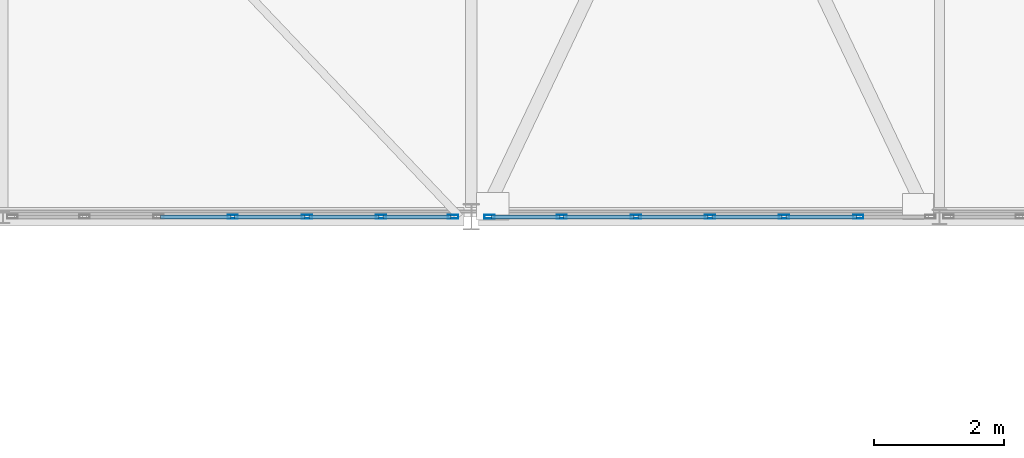
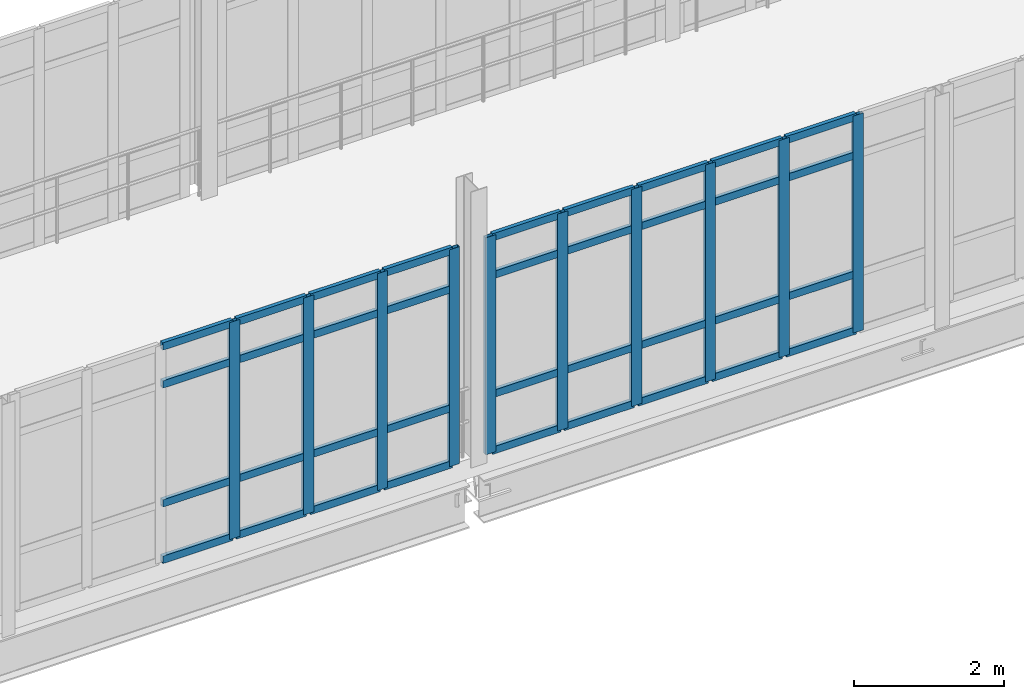
# One storey, part 20 of 116: 46 members, 2 elements without a shape of their own.
"""IFC4 building model written with IfcOpenShell, lengths in metres."""

from ifc_helpers import new_model, si_unit, direction, frame, origin, origin_2d, place, context, subcontext, project, spatial, hollow_rectangle, extrude, material, material_profile, profile_set, type_object, element, aggregate, save


model = new_model("IFC4")

# Units and contexts
model_context = context("Model", 3, precision=1e-05, world=origin(), true_north=direction((0.0, 1.0)))
body_context = subcontext(model_context, "Body", "Model", "MODEL_VIEW")
ifc_project = project(units=[si_unit("LENGTHUNIT", "METRE"), si_unit("AREAUNIT", "SQUARE_METRE"), si_unit("VOLUMEUNIT", "CUBIC_METRE"), si_unit("PLANEANGLEUNIT", "RADIAN"), si_unit("MASSUNIT", "GRAM", prefix="KILO")], contexts=[model_context])

# Site, building, storey
site_placement = place(None, origin())
site = spatial("IfcSite", under=ifc_project, at=site_placement, CompositionType="ELEMENT")
building_placement = place(site_placement, origin())
building = spatial("IfcBuilding", under=site, at=building_placement, Name="Kalluvel Institute of Natural Sciences", CompositionType="ELEMENT")
storey_placement = place(building_placement, frame((0.0, 0.0, 14.39990234375)))
storey = spatial("IfcBuildingStorey", under=building, at=storey_placement, Name="L03", CompositionType="ELEMENT", Elevation=14.39990234375)

# Curtain wall, members
ifc_material = material(Name="Aluminium AW-6063 T6", Category="aluminium")
curtain_wall_type = type_object("IfcCurtainWallType", Name="CW-BRG-45", PredefinedType="USERDEFINED", material=ifc_material)
curtain_wall_1_placement = place(storey_placement, origin())
curtain_wall_1 = element("IfcCurtainWall", 1, at=curtain_wall_1_placement, inside=storey, type_object=curtain_wall_type, Name="L03 Gothic lancet curtain wall CWA-L03-X429-Y284", ObjectType="UNITISED LANCET FACADE", PredefinedType="USERDEFINED")
ifc_material_profile_1 = material_profile(ifc_material, hollow_rectangle(XDim=0.06005859375, YDim=0.159912109375, WallThickness=0.00390625, at=origin_2d()), Name="CWM 60x160")
ifc_profile_set_1 = profile_set([ifc_material_profile_1], Name="Aluminium AW-6063 T6")
member_type_1 = type_object("IfcMemberType", Name="CWM-60x160", PredefinedType="MULLION", material=ifc_profile_set_1)
member_1_placement = place(storey_placement, frame((46.330078125, 28.39990234375, 0.0), z_axis=(0.0, 0.0, 1.0), x_axis=(0.0, 1.0, 0.0)))
member_1 = element("IfcMember", 2, at=member_1_placement, type_object=member_type_1, Name="CW-07 mullion 4", PredefinedType="MULLION", context=body_context, shape_type="SweptSolid", body=[
    extrude(hollow_rectangle(XDim=0.06005859375, YDim=0.159912109375, WallThickness=0.00390625, at=origin_2d()), origin(), (0.0, 0.0, 1.0), 3.5400390625),
])
member_2_placement = place(storey_placement, frame((47.469970703125, 28.39990234375, 0.0), z_axis=(0.0, 0.0, 1.0), x_axis=(0.0, 1.0, 0.0)))
member_2 = element("IfcMember", 3, at=member_2_placement, type_object=member_type_1, Name="CW-07 mullion 5", PredefinedType="MULLION", context=body_context, shape_type="SweptSolid", body=[
    extrude(hollow_rectangle(XDim=0.06005859375, YDim=0.159912109375, WallThickness=0.00390625, at=origin_2d()), origin(), (0.0, 0.0, 1.0), 3.5400390625),
])
member_3_placement = place(storey_placement, frame((48.610107421875, 28.39990234375, 0.0), z_axis=(0.0, 0.0, 1.0), x_axis=(0.0, 1.0, 0.0)))
member_3 = element("IfcMember", 4, at=member_3_placement, type_object=member_type_1, Name="CW-07 mullion 6", PredefinedType="MULLION", context=body_context, shape_type="SweptSolid", body=[
    extrude(hollow_rectangle(XDim=0.06005859375, YDim=0.159912109375, WallThickness=0.00390625, at=origin_2d()), origin(), (0.0, 0.0, 1.0), 3.5400390625),
])
member_4_placement = place(storey_placement, frame((49.719970703125, 28.39990234375, 0.0), z_axis=(0.0, 0.0, 1.0), x_axis=(0.0, 1.0, 0.0)))
member_4 = element("IfcMember", 5, at=member_4_placement, type_object=member_type_1, Name="CW-07 mullion 7", PredefinedType="MULLION", context=body_context, shape_type="SweptSolid", body=[
    extrude(hollow_rectangle(XDim=0.06005859375, YDim=0.159912109375, WallThickness=0.00390625, at=origin_2d()), origin(), (0.0, 0.0, 1.0), 3.5400390625),
])

curtain_wall_2_placement = place(storey_placement, origin())
curtain_wall_2 = element("IfcCurtainWall", 6, at=curtain_wall_2_placement, inside=storey, type_object=curtain_wall_type, Name="L03 Gothic lancet curtain wall CWA-L03-X502-Y284", ObjectType="UNITISED LANCET FACADE", PredefinedType="USERDEFINED")
member_5_placement = place(storey_placement, frame((50.280029296875, 28.39990234375, 0.0), z_axis=(0.0, 0.0, 1.0), x_axis=(0.0, 1.0, 0.0)))
member_5 = element("IfcMember", 7, at=member_5_placement, type_object=member_type_1, Name="CW-07 mullion 1", PredefinedType="MULLION", context=body_context, shape_type="SweptSolid", body=[
    extrude(hollow_rectangle(XDim=0.06005859375, YDim=0.159912109375, WallThickness=0.00390625, at=origin_2d()), origin(), (0.0, 0.0, 1.0), 3.5400390625),
])
member_6_placement = place(storey_placement, frame((51.389892578125, 28.39990234375, 0.0), z_axis=(0.0, 0.0, 1.0), x_axis=(0.0, 1.0, 0.0)))
member_6 = element("IfcMember", 8, at=member_6_placement, type_object=member_type_1, Name="CW-07 mullion 2", PredefinedType="MULLION", context=body_context, shape_type="SweptSolid", body=[
    extrude(hollow_rectangle(XDim=0.06005859375, YDim=0.159912109375, WallThickness=0.00390625, at=origin_2d()), origin(), (0.0, 0.0, 1.0), 3.5400390625),
])
member_7_placement = place(storey_placement, frame((52.530029296875, 28.39990234375, 0.0), z_axis=(0.0, 0.0, 1.0), x_axis=(0.0, 1.0, 0.0)))
member_7 = element("IfcMember", 9, at=member_7_placement, type_object=member_type_1, Name="CW-07 mullion 3", PredefinedType="MULLION", context=body_context, shape_type="SweptSolid", body=[
    extrude(hollow_rectangle(XDim=0.06005859375, YDim=0.159912109375, WallThickness=0.00390625, at=origin_2d()), origin(), (0.0, 0.0, 1.0), 3.5400390625),
])
member_8_placement = place(storey_placement, frame((53.669921875, 28.39990234375, 0.0), z_axis=(0.0, 0.0, 1.0), x_axis=(0.0, 1.0, 0.0)))
member_8 = element("IfcMember", 10, at=member_8_placement, type_object=member_type_1, Name="CW-07 mullion 4", PredefinedType="MULLION", context=body_context, shape_type="SweptSolid", body=[
    extrude(hollow_rectangle(XDim=0.06005859375, YDim=0.159912109375, WallThickness=0.00390625, at=origin_2d()), origin(), (0.0, 0.0, 1.0), 3.5400390625),
])
member_9_placement = place(storey_placement, frame((54.81005859375, 28.39990234375, 0.0), z_axis=(0.0, 0.0, 1.0), x_axis=(0.0, 1.0, 0.0)))
member_9 = element("IfcMember", 11, at=member_9_placement, type_object=member_type_1, Name="CW-07 mullion 5", PredefinedType="MULLION", context=body_context, shape_type="SweptSolid", body=[
    extrude(hollow_rectangle(XDim=0.06005859375, YDim=0.159912109375, WallThickness=0.00390625, at=origin_2d()), origin(), (0.0, 0.0, 1.0), 3.5400390625),
])
member_10_placement = place(storey_placement, frame((55.949951171875, 28.39990234375, 0.0), z_axis=(0.0, 0.0, 1.0), x_axis=(0.0, 1.0, 0.0)))
member_10 = element("IfcMember", 12, at=member_10_placement, type_object=member_type_1, Name="CW-07 mullion 6", PredefinedType="MULLION", context=body_context, shape_type="SweptSolid", body=[
    extrude(hollow_rectangle(XDim=0.06005859375, YDim=0.159912109375, WallThickness=0.00390625, at=origin_2d()), origin(), (0.0, 0.0, 1.0), 3.5400390625),
])

# Member
ifc_material_profile_2 = material_profile(ifc_material, hollow_rectangle(XDim=0.06005859375, YDim=0.1201171875, WallThickness=0.00390625, at=origin_2d()), Name="CWT 60x120")
ifc_profile_set_2 = profile_set([ifc_material_profile_2], Name="Aluminium AW-6063 T6")
member_type_2 = type_object("IfcMemberType", Name="CWT-60x120", PredefinedType="USERDEFINED", material=ifc_profile_set_2)
member_11_placement = place(storey_placement, frame((45.219970703125, 28.39990234375, 0.030029296875), z_axis=(1.0, 0.0, 0.0), x_axis=(0.0, 1.0, 0.0)))
member_11 = element("IfcMember", 13, at=member_11_placement, type_object=member_type_2, Name="CW-07 transom 3.1", ObjectType="TRANSOM", PredefinedType="USERDEFINED", context=body_context, shape_type="SweptSolid", body=[
    extrude(hollow_rectangle(XDim=0.06005859375, YDim=0.1201171875, WallThickness=0.00390625, at=origin_2d()), origin(), (0.0, 0.0, 1.0), 1.080078125),
])

member_12_placement = place(storey_placement, frame((45.219970703125, 28.39990234375, 0.9501953125), z_axis=(1.0, 0.0, 0.0), x_axis=(0.0, 1.0, 0.0)))
member_12 = element("IfcMember", 14, at=member_12_placement, type_object=member_type_2, Name="CW-07 transom 3.2", ObjectType="TRANSOM", PredefinedType="USERDEFINED", context=body_context, shape_type="SweptSolid", body=[
    extrude(hollow_rectangle(XDim=0.06005859375, YDim=0.1201171875, WallThickness=0.00390625, at=origin_2d()), origin(), (0.0, 0.0, 1.0), 1.080078125),
])

member_13_placement = place(storey_placement, frame((45.219970703125, 28.39990234375, 2.89013671875), z_axis=(1.0, 0.0, 0.0), x_axis=(0.0, 1.0, 0.0)))
member_13 = element("IfcMember", 15, at=member_13_placement, type_object=member_type_2, Name="CW-07 transom 3.3", ObjectType="TRANSOM", PredefinedType="USERDEFINED", context=body_context, shape_type="SweptSolid", body=[
    extrude(hollow_rectangle(XDim=0.06005859375, YDim=0.1201171875, WallThickness=0.00390625, at=origin_2d()), origin(), (0.0, 0.0, 1.0), 1.080078125),
])

member_14_placement = place(storey_placement, frame((45.219970703125, 28.39990234375, 3.510009765625), z_axis=(1.0, 0.0, 0.0), x_axis=(0.0, 1.0, 0.0)))
member_14 = element("IfcMember", 16, at=member_14_placement, type_object=member_type_2, Name="CW-07 transom 3.4", ObjectType="TRANSOM", PredefinedType="USERDEFINED", context=body_context, shape_type="SweptSolid", body=[
    extrude(hollow_rectangle(XDim=0.06005859375, YDim=0.1201171875, WallThickness=0.00390625, at=origin_2d()), origin(), (0.0, 0.0, 1.0), 1.080078125),
])

member_15_placement = place(storey_placement, frame((46.360107421875, 28.39990234375, 0.030029296875), z_axis=(1.0, 0.0, 0.0), x_axis=(0.0, 1.0, 0.0)))
member_15 = element("IfcMember", 17, at=member_15_placement, type_object=member_type_2, Name="CW-07 transom 4.1", ObjectType="TRANSOM", PredefinedType="USERDEFINED", context=body_context, shape_type="SweptSolid", body=[
    extrude(hollow_rectangle(XDim=0.06005859375, YDim=0.1201171875, WallThickness=0.00390625, at=origin_2d()), origin(), (0.0, 0.0, 1.0), 1.079833984375),
])

member_16_placement = place(storey_placement, frame((46.360107421875, 28.39990234375, 0.9501953125), z_axis=(1.0, 0.0, 0.0), x_axis=(0.0, 1.0, 0.0)))
member_16 = element("IfcMember", 18, at=member_16_placement, type_object=member_type_2, Name="CW-07 transom 4.2", ObjectType="TRANSOM", PredefinedType="USERDEFINED", context=body_context, shape_type="SweptSolid", body=[
    extrude(hollow_rectangle(XDim=0.06005859375, YDim=0.1201171875, WallThickness=0.00390625, at=origin_2d()), origin(), (0.0, 0.0, 1.0), 1.079833984375),
])

member_17_placement = place(storey_placement, frame((46.360107421875, 28.39990234375, 2.89013671875), z_axis=(1.0, 0.0, 0.0), x_axis=(0.0, 1.0, 0.0)))
member_17 = element("IfcMember", 19, at=member_17_placement, type_object=member_type_2, Name="CW-07 transom 4.3", ObjectType="TRANSOM", PredefinedType="USERDEFINED", context=body_context, shape_type="SweptSolid", body=[
    extrude(hollow_rectangle(XDim=0.06005859375, YDim=0.1201171875, WallThickness=0.00390625, at=origin_2d()), origin(), (0.0, 0.0, 1.0), 1.079833984375),
])

member_18_placement = place(storey_placement, frame((46.360107421875, 28.39990234375, 3.510009765625), z_axis=(1.0, 0.0, 0.0), x_axis=(0.0, 1.0, 0.0)))
member_18 = element("IfcMember", 20, at=member_18_placement, type_object=member_type_2, Name="CW-07 transom 4.4", ObjectType="TRANSOM", PredefinedType="USERDEFINED", context=body_context, shape_type="SweptSolid", body=[
    extrude(hollow_rectangle(XDim=0.06005859375, YDim=0.1201171875, WallThickness=0.00390625, at=origin_2d()), origin(), (0.0, 0.0, 1.0), 1.079833984375),
])

member_19_placement = place(storey_placement, frame((47.5, 28.39990234375, 0.030029296875), z_axis=(1.0, 0.0, 0.0), x_axis=(0.0, 1.0, 0.0)))
member_19 = element("IfcMember", 21, at=member_19_placement, type_object=member_type_2, Name="CW-07 transom 5.1", ObjectType="TRANSOM", PredefinedType="USERDEFINED", context=body_context, shape_type="SweptSolid", body=[
    extrude(hollow_rectangle(XDim=0.06005859375, YDim=0.1201171875, WallThickness=0.00390625, at=origin_2d()), origin(), (0.0, 0.0, 1.0), 1.080078125),
])

member_20_placement = place(storey_placement, frame((47.5, 28.39990234375, 0.9501953125), z_axis=(1.0, 0.0, 0.0), x_axis=(0.0, 1.0, 0.0)))
member_20 = element("IfcMember", 22, at=member_20_placement, type_object=member_type_2, Name="CW-07 transom 5.2", ObjectType="TRANSOM", PredefinedType="USERDEFINED", context=body_context, shape_type="SweptSolid", body=[
    extrude(hollow_rectangle(XDim=0.06005859375, YDim=0.1201171875, WallThickness=0.00390625, at=origin_2d()), origin(), (0.0, 0.0, 1.0), 1.080078125),
])

member_21_placement = place(storey_placement, frame((47.5, 28.39990234375, 2.89013671875), z_axis=(1.0, 0.0, 0.0), x_axis=(0.0, 1.0, 0.0)))
member_21 = element("IfcMember", 23, at=member_21_placement, type_object=member_type_2, Name="CW-07 transom 5.3", ObjectType="TRANSOM", PredefinedType="USERDEFINED", context=body_context, shape_type="SweptSolid", body=[
    extrude(hollow_rectangle(XDim=0.06005859375, YDim=0.1201171875, WallThickness=0.00390625, at=origin_2d()), origin(), (0.0, 0.0, 1.0), 1.080078125),
])

member_22_placement = place(storey_placement, frame((47.5, 28.39990234375, 3.510009765625), z_axis=(1.0, 0.0, 0.0), x_axis=(0.0, 1.0, 0.0)))
member_22 = element("IfcMember", 24, at=member_22_placement, type_object=member_type_2, Name="CW-07 transom 5.4", ObjectType="TRANSOM", PredefinedType="USERDEFINED", context=body_context, shape_type="SweptSolid", body=[
    extrude(hollow_rectangle(XDim=0.06005859375, YDim=0.1201171875, WallThickness=0.00390625, at=origin_2d()), origin(), (0.0, 0.0, 1.0), 1.080078125),
])

member_23_placement = place(storey_placement, frame((48.639892578125, 28.39990234375, 0.030029296875), z_axis=(1.0, 0.0, 0.0), x_axis=(0.0, 1.0, 0.0)))
member_23 = element("IfcMember", 25, at=member_23_placement, type_object=member_type_2, Name="CW-07 transom 6.1", ObjectType="TRANSOM", PredefinedType="USERDEFINED", context=body_context, shape_type="SweptSolid", body=[
    extrude(hollow_rectangle(XDim=0.06005859375, YDim=0.1201171875, WallThickness=0.00390625, at=origin_2d()), origin(), (0.0, 0.0, 1.0), 1.050048828125),
])

member_24_placement = place(storey_placement, frame((48.639892578125, 28.39990234375, 0.9501953125), z_axis=(1.0, 0.0, 0.0), x_axis=(0.0, 1.0, 0.0)))
member_24 = element("IfcMember", 26, at=member_24_placement, type_object=member_type_2, Name="CW-07 transom 6.2", ObjectType="TRANSOM", PredefinedType="USERDEFINED", context=body_context, shape_type="SweptSolid", body=[
    extrude(hollow_rectangle(XDim=0.06005859375, YDim=0.1201171875, WallThickness=0.00390625, at=origin_2d()), origin(), (0.0, 0.0, 1.0), 1.050048828125),
])

member_25_placement = place(storey_placement, frame((48.639892578125, 28.39990234375, 2.89013671875), z_axis=(1.0, 0.0, 0.0), x_axis=(0.0, 1.0, 0.0)))
member_25 = element("IfcMember", 27, at=member_25_placement, type_object=member_type_2, Name="CW-07 transom 6.3", ObjectType="TRANSOM", PredefinedType="USERDEFINED", context=body_context, shape_type="SweptSolid", body=[
    extrude(hollow_rectangle(XDim=0.06005859375, YDim=0.1201171875, WallThickness=0.00390625, at=origin_2d()), origin(), (0.0, 0.0, 1.0), 1.050048828125),
])

member_26_placement = place(storey_placement, frame((48.639892578125, 28.39990234375, 3.510009765625), z_axis=(1.0, 0.0, 0.0), x_axis=(0.0, 1.0, 0.0)))
member_26 = element("IfcMember", 28, at=member_26_placement, type_object=member_type_2, Name="CW-07 transom 6.4", ObjectType="TRANSOM", PredefinedType="USERDEFINED", context=body_context, shape_type="SweptSolid", body=[
    extrude(hollow_rectangle(XDim=0.06005859375, YDim=0.1201171875, WallThickness=0.00390625, at=origin_2d()), origin(), (0.0, 0.0, 1.0), 1.050048828125),
])

aggregate(curtain_wall_1, [member_1, member_2, member_3, member_4, member_11, member_12, member_13, member_14, member_15, member_16, member_17, member_18, member_19, member_20, member_21, member_22, member_23, member_24, member_25, member_26])

member_27_placement = place(storey_placement, frame((50.31005859375, 28.39990234375, 0.030029296875), z_axis=(1.0, 0.0, 0.0), x_axis=(0.0, 1.0, 0.0)))
member_27 = element("IfcMember", 29, at=member_27_placement, type_object=member_type_2, Name="CW-07 transom 1.1", ObjectType="TRANSOM", PredefinedType="USERDEFINED", context=body_context, shape_type="SweptSolid", body=[
    extrude(hollow_rectangle(XDim=0.06005859375, YDim=0.1201171875, WallThickness=0.00390625, at=origin_2d()), origin(), (0.0, 0.0, 1.0), 1.050048828125),
])

member_28_placement = place(storey_placement, frame((50.31005859375, 28.39990234375, 0.9501953125), z_axis=(1.0, 0.0, 0.0), x_axis=(0.0, 1.0, 0.0)))
member_28 = element("IfcMember", 30, at=member_28_placement, type_object=member_type_2, Name="CW-07 transom 1.2", ObjectType="TRANSOM", PredefinedType="USERDEFINED", context=body_context, shape_type="SweptSolid", body=[
    extrude(hollow_rectangle(XDim=0.06005859375, YDim=0.1201171875, WallThickness=0.00390625, at=origin_2d()), origin(), (0.0, 0.0, 1.0), 1.050048828125),
])

member_29_placement = place(storey_placement, frame((50.31005859375, 28.39990234375, 2.89013671875), z_axis=(1.0, 0.0, 0.0), x_axis=(0.0, 1.0, 0.0)))
member_29 = element("IfcMember", 31, at=member_29_placement, type_object=member_type_2, Name="CW-07 transom 1.3", ObjectType="TRANSOM", PredefinedType="USERDEFINED", context=body_context, shape_type="SweptSolid", body=[
    extrude(hollow_rectangle(XDim=0.06005859375, YDim=0.1201171875, WallThickness=0.00390625, at=origin_2d()), origin(), (0.0, 0.0, 1.0), 1.050048828125),
])

member_30_placement = place(storey_placement, frame((50.31005859375, 28.39990234375, 3.510009765625), z_axis=(1.0, 0.0, 0.0), x_axis=(0.0, 1.0, 0.0)))
member_30 = element("IfcMember", 32, at=member_30_placement, type_object=member_type_2, Name="CW-07 transom 1.4", ObjectType="TRANSOM", PredefinedType="USERDEFINED", context=body_context, shape_type="SweptSolid", body=[
    extrude(hollow_rectangle(XDim=0.06005859375, YDim=0.1201171875, WallThickness=0.00390625, at=origin_2d()), origin(), (0.0, 0.0, 1.0), 1.050048828125),
])

member_31_placement = place(storey_placement, frame((51.419921875, 28.39990234375, 0.030029296875), z_axis=(1.0, 0.0, 0.0), x_axis=(0.0, 1.0, 0.0)))
member_31 = element("IfcMember", 33, at=member_31_placement, type_object=member_type_2, Name="CW-07 transom 2.1", ObjectType="TRANSOM", PredefinedType="USERDEFINED", context=body_context, shape_type="SweptSolid", body=[
    extrude(hollow_rectangle(XDim=0.06005859375, YDim=0.1201171875, WallThickness=0.00390625, at=origin_2d()), origin(), (0.0, 0.0, 1.0), 1.080078125),
])

member_32_placement = place(storey_placement, frame((51.419921875, 28.39990234375, 0.9501953125), z_axis=(1.0, 0.0, 0.0), x_axis=(0.0, 1.0, 0.0)))
member_32 = element("IfcMember", 34, at=member_32_placement, type_object=member_type_2, Name="CW-07 transom 2.2", ObjectType="TRANSOM", PredefinedType="USERDEFINED", context=body_context, shape_type="SweptSolid", body=[
    extrude(hollow_rectangle(XDim=0.06005859375, YDim=0.1201171875, WallThickness=0.00390625, at=origin_2d()), origin(), (0.0, 0.0, 1.0), 1.080078125),
])

member_33_placement = place(storey_placement, frame((51.419921875, 28.39990234375, 2.89013671875), z_axis=(1.0, 0.0, 0.0), x_axis=(0.0, 1.0, 0.0)))
member_33 = element("IfcMember", 35, at=member_33_placement, type_object=member_type_2, Name="CW-07 transom 2.3", ObjectType="TRANSOM", PredefinedType="USERDEFINED", context=body_context, shape_type="SweptSolid", body=[
    extrude(hollow_rectangle(XDim=0.06005859375, YDim=0.1201171875, WallThickness=0.00390625, at=origin_2d()), origin(), (0.0, 0.0, 1.0), 1.080078125),
])

member_34_placement = place(storey_placement, frame((51.419921875, 28.39990234375, 3.510009765625), z_axis=(1.0, 0.0, 0.0), x_axis=(0.0, 1.0, 0.0)))
member_34 = element("IfcMember", 36, at=member_34_placement, type_object=member_type_2, Name="CW-07 transom 2.4", ObjectType="TRANSOM", PredefinedType="USERDEFINED", context=body_context, shape_type="SweptSolid", body=[
    extrude(hollow_rectangle(XDim=0.06005859375, YDim=0.1201171875, WallThickness=0.00390625, at=origin_2d()), origin(), (0.0, 0.0, 1.0), 1.080078125),
])

member_35_placement = place(storey_placement, frame((52.56005859375, 28.39990234375, 0.030029296875), z_axis=(1.0, 0.0, 0.0), x_axis=(0.0, 1.0, 0.0)))
member_35 = element("IfcMember", 37, at=member_35_placement, type_object=member_type_2, Name="CW-07 transom 3.1", ObjectType="TRANSOM", PredefinedType="USERDEFINED", context=body_context, shape_type="SweptSolid", body=[
    extrude(hollow_rectangle(XDim=0.06005859375, YDim=0.1201171875, WallThickness=0.00390625, at=origin_2d()), origin(), (0.0, 0.0, 1.0), 1.079833984375),
])

member_36_placement = place(storey_placement, frame((52.56005859375, 28.39990234375, 0.9501953125), z_axis=(1.0, 0.0, 0.0), x_axis=(0.0, 1.0, 0.0)))
member_36 = element("IfcMember", 38, at=member_36_placement, type_object=member_type_2, Name="CW-07 transom 3.2", ObjectType="TRANSOM", PredefinedType="USERDEFINED", context=body_context, shape_type="SweptSolid", body=[
    extrude(hollow_rectangle(XDim=0.06005859375, YDim=0.1201171875, WallThickness=0.00390625, at=origin_2d()), origin(), (0.0, 0.0, 1.0), 1.079833984375),
])

member_37_placement = place(storey_placement, frame((52.56005859375, 28.39990234375, 2.89013671875), z_axis=(1.0, 0.0, 0.0), x_axis=(0.0, 1.0, 0.0)))
member_37 = element("IfcMember", 39, at=member_37_placement, type_object=member_type_2, Name="CW-07 transom 3.3", ObjectType="TRANSOM", PredefinedType="USERDEFINED", context=body_context, shape_type="SweptSolid", body=[
    extrude(hollow_rectangle(XDim=0.06005859375, YDim=0.1201171875, WallThickness=0.00390625, at=origin_2d()), origin(), (0.0, 0.0, 1.0), 1.079833984375),
])

member_38_placement = place(storey_placement, frame((52.56005859375, 28.39990234375, 3.510009765625), z_axis=(1.0, 0.0, 0.0), x_axis=(0.0, 1.0, 0.0)))
member_38 = element("IfcMember", 40, at=member_38_placement, type_object=member_type_2, Name="CW-07 transom 3.4", ObjectType="TRANSOM", PredefinedType="USERDEFINED", context=body_context, shape_type="SweptSolid", body=[
    extrude(hollow_rectangle(XDim=0.06005859375, YDim=0.1201171875, WallThickness=0.00390625, at=origin_2d()), origin(), (0.0, 0.0, 1.0), 1.079833984375),
])

member_39_placement = place(storey_placement, frame((53.699951171875, 28.39990234375, 0.030029296875), z_axis=(1.0, 0.0, 0.0), x_axis=(0.0, 1.0, 0.0)))
member_39 = element("IfcMember", 41, at=member_39_placement, type_object=member_type_2, Name="CW-07 transom 4.1", ObjectType="TRANSOM", PredefinedType="USERDEFINED", context=body_context, shape_type="SweptSolid", body=[
    extrude(hollow_rectangle(XDim=0.06005859375, YDim=0.1201171875, WallThickness=0.00390625, at=origin_2d()), origin(), (0.0, 0.0, 1.0), 1.080078125),
])

member_40_placement = place(storey_placement, frame((53.699951171875, 28.39990234375, 0.9501953125), z_axis=(1.0, 0.0, 0.0), x_axis=(0.0, 1.0, 0.0)))
member_40 = element("IfcMember", 42, at=member_40_placement, type_object=member_type_2, Name="CW-07 transom 4.2", ObjectType="TRANSOM", PredefinedType="USERDEFINED", context=body_context, shape_type="SweptSolid", body=[
    extrude(hollow_rectangle(XDim=0.06005859375, YDim=0.1201171875, WallThickness=0.00390625, at=origin_2d()), origin(), (0.0, 0.0, 1.0), 1.080078125),
])

member_41_placement = place(storey_placement, frame((53.699951171875, 28.39990234375, 2.89013671875), z_axis=(1.0, 0.0, 0.0), x_axis=(0.0, 1.0, 0.0)))
member_41 = element("IfcMember", 43, at=member_41_placement, type_object=member_type_2, Name="CW-07 transom 4.3", ObjectType="TRANSOM", PredefinedType="USERDEFINED", context=body_context, shape_type="SweptSolid", body=[
    extrude(hollow_rectangle(XDim=0.06005859375, YDim=0.1201171875, WallThickness=0.00390625, at=origin_2d()), origin(), (0.0, 0.0, 1.0), 1.080078125),
])

member_42_placement = place(storey_placement, frame((53.699951171875, 28.39990234375, 3.510009765625), z_axis=(1.0, 0.0, 0.0), x_axis=(0.0, 1.0, 0.0)))
member_42 = element("IfcMember", 44, at=member_42_placement, type_object=member_type_2, Name="CW-07 transom 4.4", ObjectType="TRANSOM", PredefinedType="USERDEFINED", context=body_context, shape_type="SweptSolid", body=[
    extrude(hollow_rectangle(XDim=0.06005859375, YDim=0.1201171875, WallThickness=0.00390625, at=origin_2d()), origin(), (0.0, 0.0, 1.0), 1.080078125),
])

member_43_placement = place(storey_placement, frame((54.840087890625, 28.39990234375, 0.030029296875), z_axis=(1.0, 0.0, 0.0), x_axis=(0.0, 1.0, 0.0)))
member_43 = element("IfcMember", 45, at=member_43_placement, type_object=member_type_2, Name="CW-07 transom 5.1", ObjectType="TRANSOM", PredefinedType="USERDEFINED", context=body_context, shape_type="SweptSolid", body=[
    extrude(hollow_rectangle(XDim=0.06005859375, YDim=0.1201171875, WallThickness=0.00390625, at=origin_2d()), origin(), (0.0, 0.0, 1.0), 1.079833984375),
])

member_44_placement = place(storey_placement, frame((54.840087890625, 28.39990234375, 0.9501953125), z_axis=(1.0, 0.0, 0.0), x_axis=(0.0, 1.0, 0.0)))
member_44 = element("IfcMember", 46, at=member_44_placement, type_object=member_type_2, Name="CW-07 transom 5.2", ObjectType="TRANSOM", PredefinedType="USERDEFINED", context=body_context, shape_type="SweptSolid", body=[
    extrude(hollow_rectangle(XDim=0.06005859375, YDim=0.1201171875, WallThickness=0.00390625, at=origin_2d()), origin(), (0.0, 0.0, 1.0), 1.079833984375),
])

member_45_placement = place(storey_placement, frame((54.840087890625, 28.39990234375, 2.89013671875), z_axis=(1.0, 0.0, 0.0), x_axis=(0.0, 1.0, 0.0)))
member_45 = element("IfcMember", 47, at=member_45_placement, type_object=member_type_2, Name="CW-07 transom 5.3", ObjectType="TRANSOM", PredefinedType="USERDEFINED", context=body_context, shape_type="SweptSolid", body=[
    extrude(hollow_rectangle(XDim=0.06005859375, YDim=0.1201171875, WallThickness=0.00390625, at=origin_2d()), origin(), (0.0, 0.0, 1.0), 1.079833984375),
])

member_46_placement = place(storey_placement, frame((54.840087890625, 28.39990234375, 3.510009765625), z_axis=(1.0, 0.0, 0.0), x_axis=(0.0, 1.0, 0.0)))
member_46 = element("IfcMember", 48, at=member_46_placement, type_object=member_type_2, Name="CW-07 transom 5.4", ObjectType="TRANSOM", PredefinedType="USERDEFINED", context=body_context, shape_type="SweptSolid", body=[
    extrude(hollow_rectangle(XDim=0.06005859375, YDim=0.1201171875, WallThickness=0.00390625, at=origin_2d()), origin(), (0.0, 0.0, 1.0), 1.079833984375),
])

aggregate(curtain_wall_2, [member_5, member_6, member_7, member_8, member_9, member_10, member_27, member_28, member_29, member_30, member_31, member_32, member_33, member_34, member_35, member_36, member_37, member_38, member_39, member_40, member_41, member_42, member_43, member_44, member_45, member_46])

save(model, "model.ifc")
